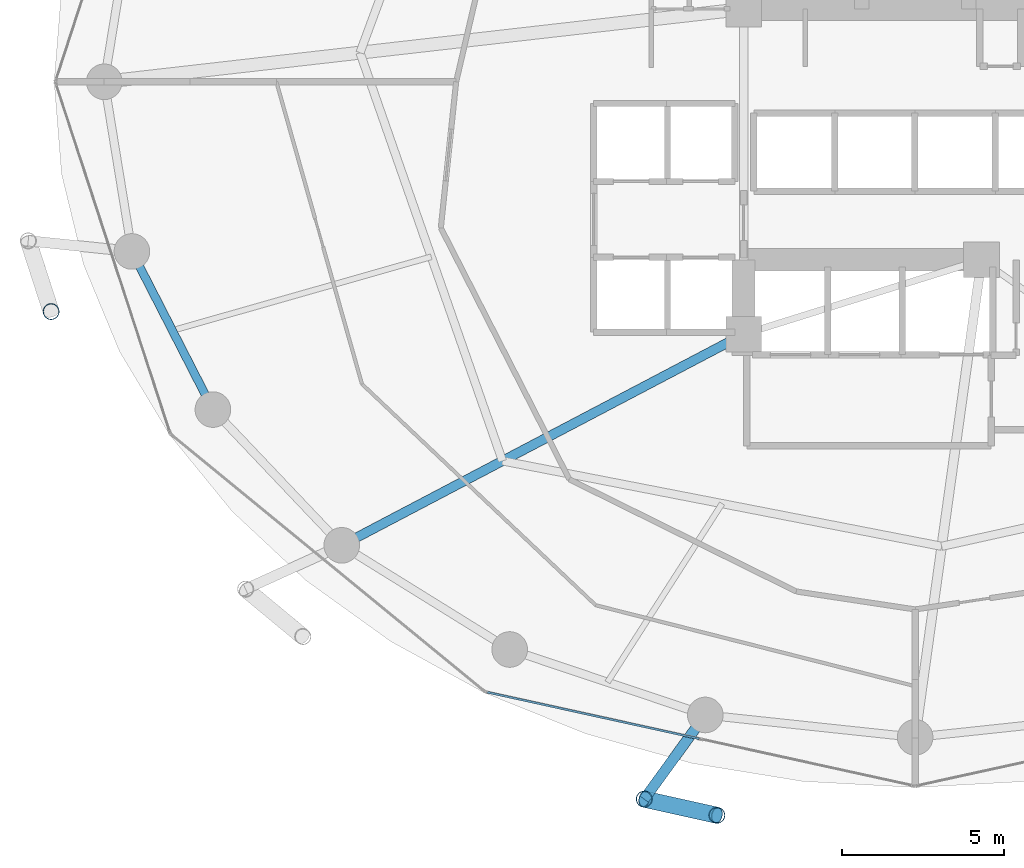
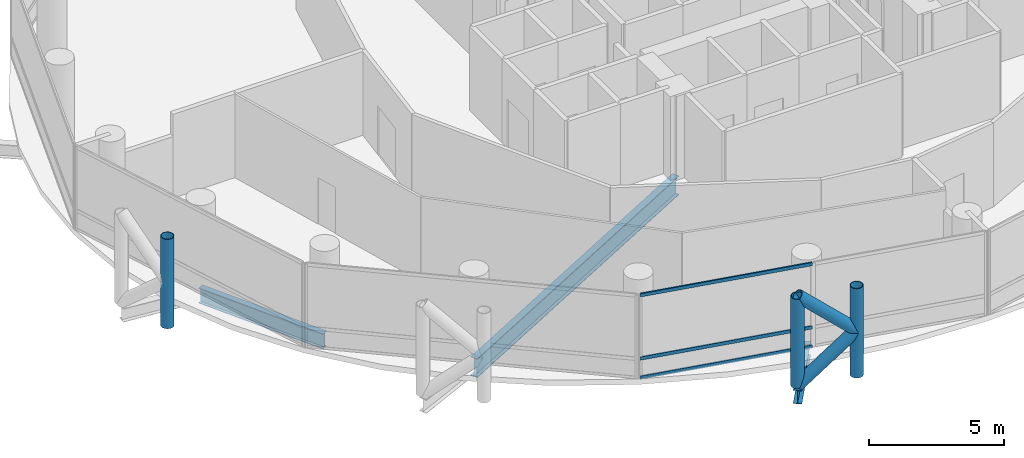
# One storey, part 3 of 24: 8 members, 3 beams, 1 element without a shape of its own.
"""IFC4 building model written with IfcOpenShell, lengths in metres."""

from ifc_helpers import new_model, si_unit, direction, frame, origin, origin_2d, place, context, subcontext, project, spatial, hollow_rectangle, hollow_circle, i_section, extrude, material, layer, layer_set, material_profile, profile_set, type_object, element, aggregate, save


model = new_model("IFC4")

# Units and contexts
model_context = context("Model", 3, precision=1e-05, world=origin(), true_north=direction((0.0, 1.0)))
body_context = subcontext(model_context, "Body", "Model", "MODEL_VIEW")
ifc_project = project(units=[si_unit("LENGTHUNIT", "METRE"), si_unit("AREAUNIT", "SQUARE_METRE"), si_unit("VOLUMEUNIT", "CUBIC_METRE"), si_unit("PLANEANGLEUNIT", "RADIAN"), si_unit("MASSUNIT", "GRAM", prefix="KILO")], contexts=[model_context])

# Site, building, storey
site_placement = place(None, origin())
site = spatial("IfcSite", under=ifc_project, at=site_placement, CompositionType="ELEMENT")
building_placement = place(site_placement, origin())
building = spatial("IfcBuilding", under=site, at=building_placement, Name="Nuhasar Tower", CompositionType="ELEMENT")
storey_placement = place(building_placement, frame((0.0, 0.0, 77.699951171875)))
storey = spatial("IfcBuildingStorey", under=building, at=storey_placement, Name="L18", CompositionType="ELEMENT", Elevation=77.699951171875)

# Beams
ifc_material_1 = material(Name="Steel S355", Category="steel")
ifc_material_profile_1 = material_profile(ifc_material_1, i_section(OverallWidth=0.2919921875, OverallDepth=0.85888671875, WebThickness=0.01708984375, FlangeThickness=0.031005859375, at=origin_2d()), Name="W33X169")
ifc_profile_set_1 = profile_set([ifc_material_profile_1], Name="Steel S355")
beam_type_1 = type_object("IfcBeamType", Name="BM-POD-W33X169", PredefinedType="BEAM", material=ifc_profile_set_1)
beam_1_placement = place(storey_placement, frame((33.699951171875, 19.0, -0.679931640625), z_axis=(-0.885330348705, -0.464962550816, 0.0), x_axis=(0.464962550816, -0.885330348705, 0.0)))
element("IfcBeam", 1, at=beam_1_placement, inside=storey, type_object=beam_type_1, Name="L18 Radial Floor Girder 01", PredefinedType="BEAM", context=body_context, shape_type="SweptSolid", body=[
    extrude(i_section(OverallWidth=0.2919921875, OverallDepth=0.85888671875, WebThickness=0.01708984375, FlangeThickness=0.031005859375, at=origin_2d()), origin(), (0.0, 0.0, 1.0), 14.0205078125),
])
ifc_material_profile_2 = material_profile(ifc_material_1, i_section(OverallWidth=0.256103515625, OverallDepth=0.693115234375, WebThickness=0.014404296875, FlangeThickness=0.023681640625, at=origin_2d()), Name="W27X114")
ifc_profile_set_2 = profile_set([ifc_material_profile_2], Name="Steel S355")
beam_type_2 = type_object("IfcBeamType", Name="BM-RING-W27X114", PredefinedType="SPANDREL", material=ifc_profile_set_2)
beam_2_placement = place(storey_placement, frame((14.803955078125, 21.55908203125, -0.596923828125), z_axis=(0.455930023905, -0.890015625314, 0.0), x_axis=(0.890015625314, 0.455930023905, 0.0)))
element("IfcBeam", 2, at=beam_2_placement, inside=storey, type_object=beam_type_2, Name="L18 Perimeter Ring Spandrel 14", PredefinedType="SPANDREL", context=body_context, shape_type="SweptSolid", body=[
    extrude(i_section(OverallWidth=0.256103515625, OverallDepth=0.693115234375, WebThickness=0.014404296875, FlangeThickness=0.023681640625, at=origin_2d()), origin(), (0.0, 0.0, 1.0), 5.487548828125),
])
ifc_material_profile_3 = material_profile(ifc_material_1, i_section(OverallWidth=0.323974609375, OverallDepth=0.611083984375, WebThickness=0.0126953125, FlangeThickness=0.01904296875, at=origin_2d()), Name="W24X104")
ifc_profile_set_3 = profile_set([ifc_material_profile_3], Name="Steel S355")
beam_type_3 = type_object("IfcBeamType", Name="BM-TIE-W24X104", PredefinedType="BEAM", material=ifc_profile_set_3)
beam_3_placement = place(storey_placement, frame((32.51708984375, 7.239990234375, -0.554931640625), z_axis=(-0.587403316448, -0.809294349311, 0.0), x_axis=(0.809294349311, -0.587403316448, 0.0)))
element("IfcBeam", 3, at=beam_3_placement, inside=storey, type_object=beam_type_3, Name="L18 Exoskeleton Node Tie Beam 09", PredefinedType="BEAM", context=body_context, shape_type="SweptSolid", body=[
    extrude(i_section(OverallWidth=0.323974609375, OverallDepth=0.611083984375, WebThickness=0.0126953125, FlangeThickness=0.01904296875, at=origin_2d()), origin(), (0.0, 0.0, 1.0), 3.212890625),
])

# Curtain wall, members
ifc_material_2 = material(Name="Aluminium 6063-T6", Category="aluminium")
ifc_layer = layer(ifc_material_2, 0.199951171875)
ifc_layer_set = layer_set([ifc_layer], Name="Aluminium 6063-T6")
curtain_wall_type = type_object("IfcCurtainWallType", Name="CW-Z1-OFF", PredefinedType="NOTDEFINED", material=ifc_layer_set)
curtain_wall_placement = place(storey_placement, origin())
curtain_wall = element("IfcCurtainWall", 4, at=curtain_wall_placement, inside=storey, type_object=curtain_wall_type, Name="L18 Unitised Curtain Wall 09", PredefinedType="NOTDEFINED")
ifc_material_profile_4 = material_profile(ifc_material_2, hollow_rectangle(XDim=0.06494140625, YDim=0.14990234375, WallThickness=0.00439453125, at=origin_2d()), Name="CWT-2")
ifc_profile_set_4 = profile_set([ifc_material_profile_4], Name="Aluminium 6063-T6")
member_type_1 = type_object("IfcMemberType", Name="CW-TRN-S2", PredefinedType="USERDEFINED", material=ifc_profile_set_4)
member_1_placement = place(storey_placement, frame((25.783447265625, 7.941162109375, 0.032470703125), z_axis=(0.976741923778, -0.214418316228, 0.0), x_axis=(0.214418316228, 0.976741923778, 0.0)))
member_1 = element("IfcMember", 5, at=member_1_placement, type_object=member_type_1, Name="CW-Z1 transom 1.1", ObjectType="TRANSOM", PredefinedType="USERDEFINED", context=body_context, shape_type="SweptSolid", body=[
    extrude(hollow_rectangle(XDim=0.06494140625, YDim=0.14990234375, WallThickness=0.00439453125, at=origin_2d()), origin(), (0.0, 0.0, 1.0), 6.70068359375),
])
member_2_placement = place(storey_placement, frame((25.783447265625, 7.941162109375, 0.900146484375), z_axis=(0.976741923778, -0.214418316228, 0.0), x_axis=(0.214418316228, 0.976741923778, 0.0)))
member_2 = element("IfcMember", 6, at=member_2_placement, type_object=member_type_1, Name="CW-Z1 transom 1.2", ObjectType="TRANSOM", PredefinedType="USERDEFINED", context=body_context, shape_type="SweptSolid", body=[
    extrude(hollow_rectangle(XDim=0.06494140625, YDim=0.14990234375, WallThickness=0.00439453125, at=origin_2d()), origin(), (0.0, 0.0, 1.0), 6.70068359375),
])
member_3_placement = place(storey_placement, frame((25.783447265625, 7.941162109375, 3.767578125), z_axis=(0.976741923778, -0.214418316228, 0.0), x_axis=(0.214418316228, 0.976741923778, 0.0)))
member_3 = element("IfcMember", 7, at=member_3_placement, type_object=member_type_1, Name="CW-Z1 transom 1.3", ObjectType="TRANSOM", PredefinedType="USERDEFINED", context=body_context, shape_type="SweptSolid", body=[
    extrude(hollow_rectangle(XDim=0.06494140625, YDim=0.14990234375, WallThickness=0.00439453125, at=origin_2d()), origin(), (0.0, 0.0, 1.0), 6.70068359375),
])
aggregate(curtain_wall, [member_1, member_2, member_3])

# Members
ifc_material_3 = material(Name="Steel S460", Category="steel")
ifc_material_profile_5 = material_profile(ifc_material_3, hollow_circle(Radius=0.25390625, WallThickness=0.025390625, at=origin_2d()), Name="HSS508X25.4")
ifc_profile_set_5 = profile_set([ifc_material_profile_5], Name="Steel S460")
member_type_2 = type_object("IfcMemberType", Name="EXO-BRONZE-508", PredefinedType="BRACE", material=ifc_profile_set_5)
for number, where, z_axis, x_axis, name in (
    (8, (12.30810546875, 19.700927734375, 0.0), (0.0, 0.0, 1.0), (1.0, 0.0, 0.0), "L18 Exoskeleton Chord Column EC-07B"),
    (9, (30.6298828125, 4.639892578125, 0.0), (0.0, 0.0, 1.0), (1.0, 0.0, 0.0), "L18 Exoskeleton Chord Column EC-09A"),
    (10, (32.8759765625, 4.14111328125, 0.0), (0.0, 0.0, 1.0), (1.0, 0.0, 0.0), "L18 Exoskeleton Chord Column EC-09B"),
):
    element("IfcMember", number, at=place(storey_placement, frame(where, z_axis=z_axis, x_axis=x_axis)), inside=storey, type_object=member_type_2, Name=name, PredefinedType="BRACE", context=body_context, shape_type="SweptSolid", body=[
        extrude(hollow_circle(Radius=0.25390625, WallThickness=0.025390625, at=origin_2d()), origin(), (0.0, 0.0, 1.0), 4.050048828125),
    ])
member_4_placement = place(storey_placement, frame((30.6298828125, 4.639892578125, 0.0), z_axis=(0.732792408767, -0.162727705556, 0.660707938122), x_axis=(0.216784396973, 0.976219506683, 0.0)))
element("IfcMember", 11, at=member_4_placement, inside=storey, type_object=member_type_2, Name="L18 Bronze Diagrid Brace W1-09", PredefinedType="BRACE", context=body_context, shape_type="SweptSolid", body=[
    extrude(hollow_circle(Radius=0.25390625, WallThickness=0.025390625, at=origin_2d()), origin(), (0.0, 0.0, 1.0), 3.065185546875),
])
member_5_placement = place(storey_placement, frame((32.8759765625, 4.14111328125, 2.025146484375), z_axis=(-0.732830973624, 0.162736269469, 0.66066305383), x_axis=(-0.216784396973, -0.976219506683, 0.0)))
element("IfcMember", 12, at=member_5_placement, inside=storey, type_object=member_type_2, Name="L18 Bronze Diagrid Brace W2-09", PredefinedType="BRACE", context=body_context, shape_type="SweptSolid", body=[
    extrude(hollow_circle(Radius=0.25390625, WallThickness=0.025390625, at=origin_2d()), origin(), (0.0, 0.0, 1.0), 3.06494140625),
])

save(model, "model.ifc")
